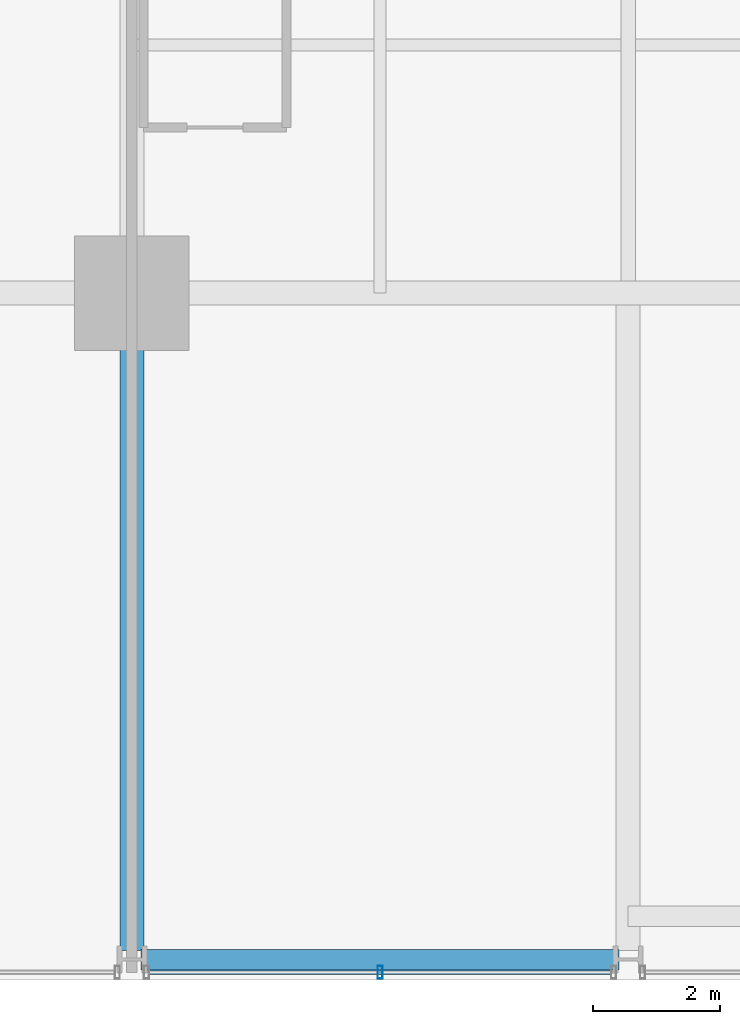
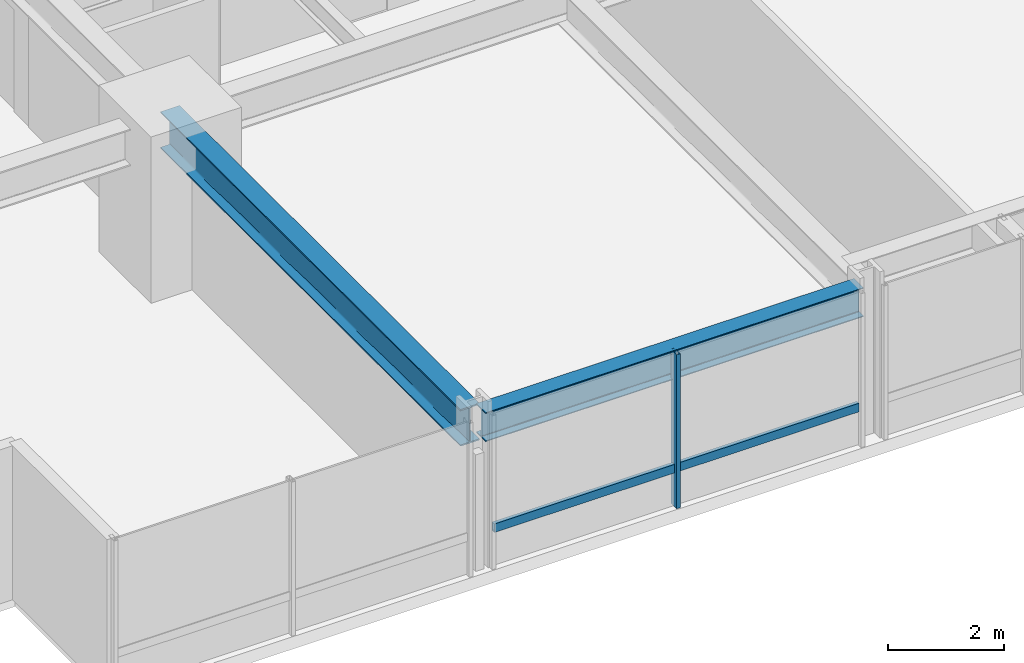
# One storey, part 3 of 38: 2 beams, 2 members, 1 element without a shape of its own.
"""IFC4 building model written with IfcOpenShell, lengths in metres."""

from ifc_helpers import new_model, si_unit, direction, frame, origin, origin_2d, place, context, subcontext, project, spatial, hollow_rectangle, i_section, extrude, material, layer, layer_set, material_profile, profile_set, type_object, element, aggregate, save


model = new_model("IFC4")

# Units and contexts
model_context = context("Model", 3, precision=1e-05, world=origin(), true_north=direction((0.0, 1.0)))
body_context = subcontext(model_context, "Body", "Model", "MODEL_VIEW")
ifc_project = project(units=[si_unit("LENGTHUNIT", "METRE"), si_unit("AREAUNIT", "SQUARE_METRE"), si_unit("VOLUMEUNIT", "CUBIC_METRE"), si_unit("PLANEANGLEUNIT", "RADIAN"), si_unit("MASSUNIT", "GRAM", prefix="KILO")], contexts=[model_context])

# Site, building, storey
site_placement = place(None, origin())
site = spatial("IfcSite", under=ifc_project, at=site_placement, CompositionType="ELEMENT")
building_placement = place(site_placement, origin())
building = spatial("IfcBuilding", under=site, at=building_placement, Name="Drelvath Grand Hotel", CompositionType="ELEMENT")
storey_placement = place(building_placement, frame((0.0, 0.0, 64.699951171875)))
storey = spatial("IfcBuildingStorey", under=building, at=storey_placement, Name="L15", CompositionType="ELEMENT", Elevation=64.699951171875)

# Curtain wall, members
ifc_material_1 = material(Name="Warm Bronze Anodised Aluminium Frame", Category="aluminium")
ifc_layer = layer(ifc_material_1, 0.199951171875)
ifc_layer_set = layer_set([ifc_layer], Name="Warm Bronze Anodised Aluminium Frame")
curtain_wall_type = type_object("IfcCurtainWallType", Name="Stick Curtain Wall CW-02 Warm Bronze Low-Rise", PredefinedType="NOTDEFINED", material=ifc_layer_set)
curtain_wall_placement = place(storey_placement, origin())
curtain_wall = element("IfcCurtainWall", 1, at=curtain_wall_placement, inside=storey, type_object=curtain_wall_type, Name="L15 CW-02 Curtain Wall CW02-L15-SW2", PredefinedType="NOTDEFINED")
ifc_material_profile_1 = material_profile(ifc_material_1, hollow_rectangle(XDim=0.074951171875, YDim=0.179931640625, WallThickness=0.0048828125, at=origin_2d()), Name="HSS180X75X5")
ifc_profile_set_1 = profile_set([ifc_material_profile_1], Name="Warm Bronze Anodised Aluminium Frame")
member_type_1 = type_object("IfcMemberType", Name="Curtain Wall Horizontal Transom CW-02 HSS180X75X5", PredefinedType="USERDEFINED", material=ifc_profile_set_1)
member_1_placement = place(storey_placement, frame((-8.669189453125, 0.1201171875, 0.81005859375), z_axis=(-1.0, 0.0, 0.0), x_axis=(0.0, -1.0, 0.0)))
member_1 = element("IfcMember", 2, at=member_1_placement, type_object=member_type_1, Name="CW02-L15-SW2 Sill Transom", ObjectType="TRANSOM", PredefinedType="USERDEFINED", context=body_context, shape_type="SweptSolid", body=[
    extrude(hollow_rectangle(XDim=0.074951171875, YDim=0.179931640625, WallThickness=0.0048828125, at=origin_2d()), origin(), (0.0, 0.0, 1.0), 7.26171875),
])
ifc_material_profile_2 = material_profile(ifc_material_1, hollow_rectangle(XDim=0.080078125, YDim=0.199951171875, WallThickness=0.0048828125, at=origin_2d()), Name="HSS200X80X5")
ifc_profile_set_2 = profile_set([ifc_material_profile_2], Name="Warm Bronze Anodised Aluminium Frame")
member_type_2 = type_object("IfcMemberType", Name="Curtain Wall Vertical Mullion CW-02 HSS200X80X5", PredefinedType="MULLION", material=ifc_profile_set_2)
member_2_placement = place(storey_placement, frame((-12.300048828125, 0.1201171875, 0.0), z_axis=(0.0, 0.0, 1.0), x_axis=(1.0, 0.0, 0.0)))
member_2 = element("IfcMember", 3, at=member_2_placement, type_object=member_type_2, Name="CW02-L15-SW2 Mullion 2", PredefinedType="MULLION", context=body_context, shape_type="SweptSolid", body=[
    extrude(hollow_rectangle(XDim=0.080078125, YDim=0.199951171875, WallThickness=0.0048828125, at=origin_2d()), origin(), (0.0, 0.0, 1.0), 3.239990234375),
])
aggregate(curtain_wall, [member_2, member_1])

# Beams
ifc_material_2 = material(Name="Steel ASTM A992 Gr 50", Category="steel")
ifc_material_profile_3 = material_profile(ifc_material_2, i_section(OverallWidth=0.323974609375, OverallDepth=0.611083984375, WebThickness=0.0126953125, FlangeThickness=0.01904296875, FilletRadius=0.02197265625, at=origin_2d()), Name="W24X104")
ifc_profile_set_3 = profile_set([ifc_material_profile_3], Name="Steel ASTM A992 Gr 50")
beam_type_1 = type_object("IfcBeamType", Name="Perimeter Spandrel Beam W24X104", PredefinedType="SPANDREL", material=ifc_profile_set_3)
beam_1_placement = place(storey_placement, frame((-16.06005859375, 0.320068359375, 2.9345703125), z_axis=(1.0, 0.0, 0.0), x_axis=(0.0, 1.0, 0.0)))
element("IfcBeam", 4, at=beam_1_placement, inside=storey, type_object=beam_type_1, Name="L15 Spandrel South W", PredefinedType="SPANDREL", context=body_context, shape_type="SweptSolid", body=[
    extrude(i_section(OverallWidth=0.323974609375, OverallDepth=0.611083984375, WebThickness=0.0126953125, FlangeThickness=0.01904296875, FilletRadius=0.02197265625, at=origin_2d()), origin(), (0.0, 0.0, 1.0), 7.52001953125),
])
ifc_material_profile_4 = material_profile(ifc_material_2, i_section(OverallWidth=0.380615234375, OverallDepth=0.773193359375, WebThickness=0.0166015625, FlangeThickness=0.027099609375, FilletRadius=0.02490234375, at=origin_2d()), Name="W30X173")
ifc_profile_set_4 = profile_set([ifc_material_profile_4], Name="Steel ASTM A992 Gr 50")
beam_type_2 = type_object("IfcBeamType", Name="Primary Floor Girder W30X173", PredefinedType="BEAM", material=ifc_profile_set_4)
beam_2_placement = place(storey_placement, frame((-16.199951171875, 0.4599609375, 2.853515625), z_axis=(0.0, 1.0, 0.0), x_axis=(-1.0, 0.0, 0.0)))
element("IfcBeam", 5, at=beam_2_placement, inside=storey, type_object=beam_type_2, Name="L15 South Grid Girder 3", PredefinedType="BEAM", context=body_context, shape_type="SweptSolid", body=[
    extrude(i_section(OverallWidth=0.380615234375, OverallDepth=0.773193359375, WebThickness=0.0166015625, FlangeThickness=0.027099609375, FilletRadius=0.02490234375, at=origin_2d()), origin(), (0.0, 0.0, 1.0), 10.340087890625),
])

save(model, "model.ifc")
